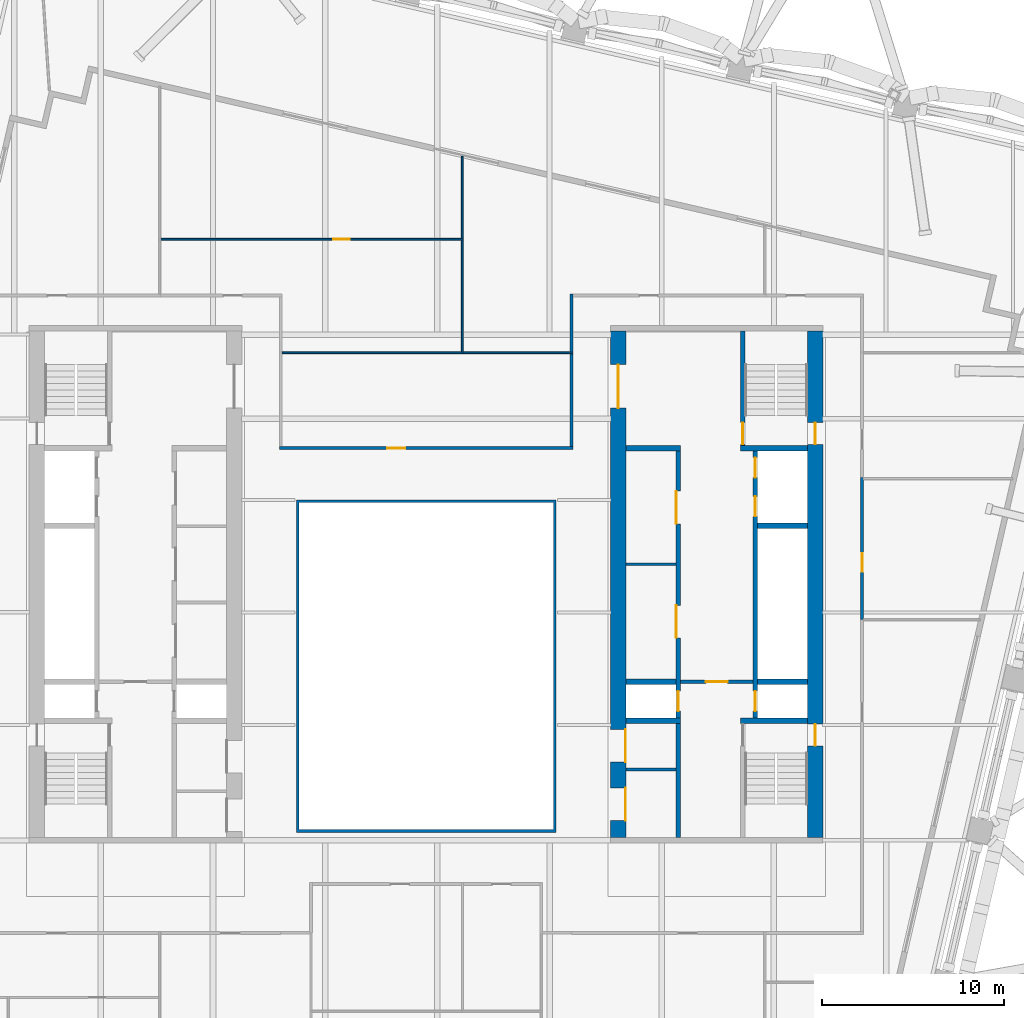
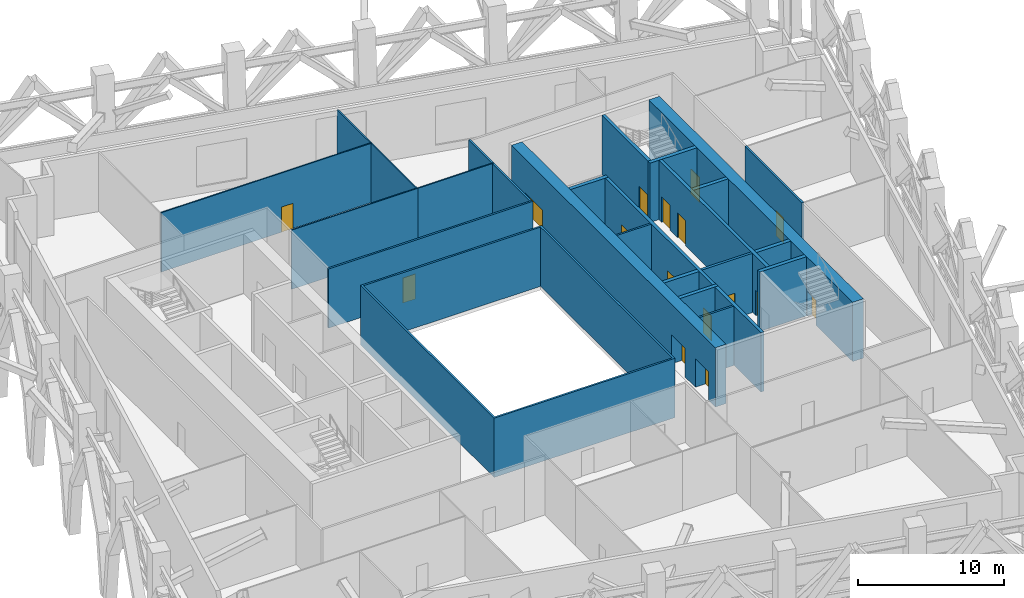
# One storey, part 9 of 20: 25 walls, 16 doors, 16 openings.
"""IFC4 building model written with IfcOpenShell, lengths in metres."""

from ifc_helpers import new_model, si_unit, direction, frame, frame_2d, origin, place, context, subcontext, project, spatial, polyline, rectangle, outline, extrude, material, layer, layer_set, type_object, element, fill, save


model = new_model("IFC4")

# Units and contexts
model_context = context("Model", 3, precision=1e-05, world=origin(), true_north=direction((0.0, 1.0)))
body_context = subcontext(model_context, "Body", "Model", "MODEL_VIEW")
ifc_project = project(units=[si_unit("LENGTHUNIT", "METRE"), si_unit("AREAUNIT", "SQUARE_METRE"), si_unit("VOLUMEUNIT", "CUBIC_METRE"), si_unit("PLANEANGLEUNIT", "RADIAN"), si_unit("MASSUNIT", "GRAM", prefix="KILO")], contexts=[model_context])

# Site, building, storey
site_placement = place(None, origin())
site = spatial("IfcSite", under=ifc_project, at=site_placement, CompositionType="ELEMENT")
building_placement = place(site_placement, origin())
building = spatial("IfcBuilding", under=site, at=building_placement, Name="Ogive Exchange Tower", CompositionType="ELEMENT")
storey_placement = place(building_placement, frame((0.0, 0.0, 160.199951171875)))
storey = spatial("IfcBuildingStorey", under=building, at=storey_placement, Name="L35", CompositionType="ELEMENT", Elevation=160.199951171875)

# Walls
ifc_material_1 = material(Name="Gypsum board partition")
ifc_layer_1 = layer(ifc_material_1, 0.14990234375)
ifc_layer_set_1 = layer_set([ifc_layer_1], Name="Core room partition 150 gypsum")
wall_type_1 = type_object("IfcWallType", Name="Core room partition 150 gypsum", PredefinedType="PARTITIONING", material=ifc_layer_set_1)
for number, where, z_axis, x_axis, name in (
    (1, (11.0, 12.60009765625, 0.0), (0.0, 0.0, 1.0), (1.0, 0.0, 0.0), "E row B bay partition 1-1"),
    (2, (11.0, 1.300048828125, 0.0), (0.0, 0.0, 1.0), (1.0, 0.0, 0.0), "E south room partition"),
):
    element("IfcWall", number, at=place(storey_placement, frame(where, z_axis=z_axis, x_axis=x_axis)), inside=storey, type_object=wall_type_1, Name=name, PredefinedType="PARTITIONING", context=body_context, shape_type="SweptSolid", body=[
        extrude(rectangle(XDim=2.75, YDim=0.14990234375, at=frame_2d((1.375, 0.0))), origin(), (0.0, 0.0, 1.0), 4.949951171875),
    ])
ifc_layer_2 = layer(ifc_material_1, 0.300048828125)
ifc_layer_set_2 = layer_set([ifc_layer_2], Name="Core room partition 300 gypsum")
wall_type_2 = type_object("IfcWallType", Name="Core room partition 300 gypsum", PredefinedType="PARTITIONING", material=ifc_layer_set_2)
wall_1_placement = place(storey_placement, frame((11.0, 19.0, 0.0), z_axis=(0.0, 0.0, 1.0), x_axis=(1.0, 0.0, 0.0)))
element("IfcWall", 3, at=wall_1_placement, inside=storey, type_object=wall_type_2, Name="E row B room end wall 7", PredefinedType="PARTITIONING", context=body_context, shape_type="SweptSolid", body=[
    extrude(rectangle(XDim=3.0, YDim=0.300048828125, at=frame_2d((1.5, 0.0))), origin(), (0.0, 0.0, 1.0), 4.949951171875),
])

# Wall, opening, door
ifc_material_2 = material(Name="Fire partition EI 60 150")
ifc_layer_3 = layer(ifc_material_2, 0.14990234375)
ifc_layer_set_3 = layer_set([ifc_layer_3], Name="Fire partition EI 60 150")
wall_type_3 = type_object("IfcWallType", Name="Fire partition EI 60 150", PredefinedType="PARTITIONING", material=ifc_layer_set_3)
wall_2_placement = place(storey_placement, frame((-8.074951171875, 19.0, 0.0), z_axis=(0.0, 0.0, 1.0), x_axis=(1.0, 0.0, 0.0)))
wall_2 = element("IfcWall", 4, at=wall_2_placement, inside=storey, type_object=wall_type_3, Name="L35-PWL-020", PredefinedType="PARTITIONING", context=body_context, shape_type="SweptSolid", body=[
    extrude(rectangle(XDim=16.14990234375, YDim=0.14990234375, at=frame_2d((8.074951171875, 0.0))), origin(), (0.0, 0.0, 1.0), 4.949951171875),
])
opening_1_placement = place(wall_2_placement, frame((5.925048828125, 0.0, 0.0)))
opening_1 = element("IfcOpeningElement", 5, at=opening_1_placement, cuts=wall_2, Name="Opening L35-I06", PredefinedType="OPENING", context=body_context, shape_type="SweptSolid", body=[
    extrude(rectangle(XDim=1.0, YDim=2.10009765625, at=frame_2d((0.5, 1.050048828125))), frame((0.0, 0.0849609375, 0.0), z_axis=(0.0, -1.0, 0.0), x_axis=(1.0, 0.0, 0.0)), (0.0, 0.0, 1.0), 0.169921875),
])
ifc_material_3 = material(Name="Fire door FD 30S 1000 x 2100")
door_type_1 = type_object("IfcDoorType", Name="Fire door FD 30S 1000 x 2100", OperationType="NOTDEFINED", PredefinedType="DOOR", material=ifc_material_3)
door_1_placement = place(opening_1_placement, origin())
door_1 = element("IfcDoor", 6, at=door_1_placement, inside=storey, type_object=door_type_1, Name="L35-IDR-006", ObjectType="DT3", OperationType="SINGLE_SWING_RIGHT", OverallHeight=2.10009765625, OverallWidth=1.0, PredefinedType="DOOR", context=body_context, shape_type="SweptSolid", body=[
    extrude(rectangle(XDim=1.0, YDim=2.10009765625, at=frame_2d((0.5, 1.050048828125))), frame((0.0, 0.02490234375, 0.0), z_axis=(0.0, -1.0, 0.0), x_axis=(1.0, 0.0, 0.0)), (0.0, 0.0, 1.0), 0.050048828125),
])
fill(opening_1, door_1)

# Walls
wall_3_placement = place(storey_placement, frame((8.0, 19.074951171875, 0.0), z_axis=(0.0, 0.0, 1.0), x_axis=(0.0, 1.0, 0.0)))
element("IfcWall", 7, at=wall_3_placement, inside=storey, type_object=wall_type_3, Name="L35-PWL-042", PredefinedType="PARTITIONING", context=body_context, shape_type="SweptSolid", body=[
    extrude(rectangle(XDim=5.125, YDim=0.14990234375, at=frame_2d((2.5625, 0.0))), origin(), (0.0, 0.0, 1.0), 4.949951171875),
])
wall_4_placement = place(storey_placement, frame((8.0, 24.300048828125, 0.0), z_axis=(0.0, 0.0, 1.0), x_axis=(0.0, 1.0, 0.0)))
element("IfcWall", 8, at=wall_4_placement, inside=storey, type_object=wall_type_3, Name="L35-PWL-043", PredefinedType="PARTITIONING", context=body_context, shape_type="SweptSolid", body=[
    extrude(rectangle(XDim=3.175048828125, YDim=0.14990234375, at=frame_2d((1.58740234375, 0.0))), origin(), (0.0, 0.0, 1.0), 4.949951171875),
])

# Wall, opening, door
wall_5_placement = place(storey_placement, frame((24.0, 17.3701171875, 0.0), z_axis=(0.0, 0.0, 1.0), x_axis=(0.0, -1.0, 0.0)))
wall_5 = element("IfcWall", 9, at=wall_5_placement, inside=storey, type_object=wall_type_3, Name="L35-PWL-055", PredefinedType="PARTITIONING", context=body_context, shape_type="SweptSolid", body=[
    extrude(rectangle(XDim=7.820068359375, YDim=0.14990234375, at=frame_2d((3.91015625, 0.0))), origin(), (0.0, 0.0, 1.0), 4.949951171875),
])
opening_2_placement = place(wall_5_placement, frame((4.169921875, 0.0, 0.0)))
opening_2 = element("IfcOpeningElement", 10, at=opening_2_placement, cuts=wall_5, Name="Opening L35-I03", PredefinedType="OPENING", context=body_context, shape_type="SweptSolid", body=[
    extrude(rectangle(XDim=1.0, YDim=2.10009765625, at=frame_2d((0.5, 1.050048828125))), frame((0.0, 0.0849609375, 0.0), z_axis=(0.0, -1.0, 0.0), x_axis=(1.0, 0.0, 0.0)), (0.0, 0.0, 1.0), 0.169921875),
])
door_2_placement = place(opening_2_placement, origin())
door_2 = element("IfcDoor", 11, at=door_2_placement, inside=storey, type_object=door_type_1, Name="L35-IDR-003", ObjectType="DT3", OperationType="SINGLE_SWING_LEFT", OverallHeight=2.10009765625, OverallWidth=1.0, PredefinedType="DOOR", context=body_context, shape_type="SweptSolid", body=[
    extrude(rectangle(XDim=1.0, YDim=2.10009765625, at=frame_2d((0.5, 1.050048828125))), frame((0.0, 0.02490234375, 0.0), z_axis=(0.0, -1.0, 0.0), x_axis=(1.0, 0.0, 0.0)), (0.0, 0.0, 1.0), 0.050048828125),
])
fill(opening_2, door_2)

# Wall
ifc_material_4 = material(Name="Fire-resisting glass in steel frame", Category="steel")
ifc_layer_4 = layer(ifc_material_4, 0.14990234375)
ifc_layer_set_4 = layer_set([ifc_layer_4], Name="Fire-rated glazed wall 150")
wall_type_4 = type_object("IfcWallType", Name="Fire-rated glazed wall 150", PredefinedType="STANDARD", material=ifc_layer_set_4)
wall_6_placement = place(storey_placement, origin())
element("IfcWall", 12, at=wall_6_placement, inside=storey, type_object=wall_type_4, Name="Nave enclosure wall", PredefinedType="STANDARD", context=body_context, shape_type="SweptSolid", body=[
    extrude(outline(polyline([(-7.14990234375, -2.14990234375), (7.14990234375, -2.14990234375), (7.14990234375, 16.14990234375), (-7.14990234375, 16.14990234375), (-7.14990234375, -2.14990234375)]), holes=[polyline([(-7.0, -2.0), (-7.0, 16.0), (7.0, 16.0), (7.0, -2.0), (-7.0, -2.0)])]), origin(), (0.0, 0.0, 1.0), 4.949951171875),
])

# Wall, opening, door
ifc_material_5 = material(Name="Partition 100 gypsum")
ifc_layer_5 = layer(ifc_material_5, 0.10009765625)
ifc_layer_set_5 = layer_set([ifc_layer_5], Name="Partition 100 gypsum")
wall_type_5 = type_object("IfcWallType", Name="Partition 100 gypsum", PredefinedType="PARTITIONING", material=ifc_layer_set_5)
wall_7_placement = place(storey_placement, frame((-14.6201171875, 30.5, 0.0), z_axis=(0.0, 0.0, 1.0), x_axis=(1.0, 0.0, 0.0)))
wall_7 = element("IfcWall", 13, at=wall_7_placement, inside=storey, type_object=wall_type_5, Name="L35-PWL-018", PredefinedType="PARTITIONING", context=body_context, shape_type="SweptSolid", body=[
    extrude(rectangle(XDim=16.66015625, YDim=0.10009765625, at=frame_2d((8.330078125, 0.0))), origin(), (0.0, 0.0, 1.0), 4.949951171875),
])
opening_3_placement = place(wall_7_placement, frame((9.510009765625, 0.0, 0.0)))
opening_3 = element("IfcOpeningElement", 14, at=opening_3_placement, cuts=wall_7, Name="Opening L35-I09", PredefinedType="OPENING", context=body_context, shape_type="SweptSolid", body=[
    extrude(rectangle(XDim=0.89990234375, YDim=2.10009765625, at=frame_2d((0.449951171875, 1.050048828125))), frame((0.0, 0.06005859375, 0.0), z_axis=(0.0, -1.0, 0.0), x_axis=(1.0, 0.0, 0.0)), (0.0, 0.0, 1.0), 0.1201171875),
])
ifc_material_6 = material(Name="Door 900 x 2100")
door_type_2 = type_object("IfcDoorType", Name="Door 900 x 2100", OperationType="NOTDEFINED", PredefinedType="DOOR", material=ifc_material_6)
door_3_placement = place(opening_3_placement, frame((0.89990234375, 0.0, 0.0), z_axis=(0.0, 0.0, 1.0), x_axis=(-1.0, 0.0, 0.0)))
door_3 = element("IfcDoor", 15, at=door_3_placement, inside=storey, type_object=door_type_2, Name="L35-IDR-009", ObjectType="DT1", OperationType="SINGLE_SWING_RIGHT", OverallHeight=2.10009765625, OverallWidth=0.89990234375, PredefinedType="DOOR", context=body_context, shape_type="SweptSolid", body=[
    extrude(rectangle(XDim=0.89990234375, YDim=2.10009765625, at=frame_2d((0.449951171875, 1.050048828125))), frame((0.0, 0.02490234375, 0.0), z_axis=(0.0, -1.0, 0.0), x_axis=(1.0, 0.0, 0.0)), (0.0, 0.0, 1.0), 0.050048828125),
])
fill(opening_3, door_3)

# Walls
wall_8_placement = place(storey_placement, frame((-7.925048828125, 24.25, 0.0), z_axis=(0.0, 0.0, 1.0), x_axis=(1.0, 0.0, 0.0)))
element("IfcWall", 16, at=wall_8_placement, inside=storey, type_object=wall_type_5, Name="L35-PWL-022", PredefinedType="PARTITIONING", context=body_context, shape_type="SweptSolid", body=[
    extrude(rectangle(XDim=9.965087890625, YDim=0.10009765625, at=frame_2d((4.982421875, 0.0))), origin(), (0.0, 0.0, 1.0), 4.949951171875),
])
wall_9_placement = place(storey_placement, frame((1.989990234375, 24.300048828125, 0.0), z_axis=(0.0, 0.0, 1.0), x_axis=(0.0, 1.0, 0.0)))
element("IfcWall", 17, at=wall_9_placement, inside=storey, type_object=wall_type_5, Name="L35-PWL-029", PredefinedType="PARTITIONING", context=body_context, shape_type="SweptSolid", body=[
    extrude(rectangle(XDim=6.14990234375, YDim=0.10009765625, at=frame_2d((3.074951171875, 0.0))), origin(), (0.0, 0.0, 1.0), 4.949951171875),
])
wall_10_placement = place(storey_placement, frame((2.0400390625, 24.25, 0.0), z_axis=(0.0, 0.0, 1.0), x_axis=(1.0, 0.0, 0.0)))
element("IfcWall", 18, at=wall_10_placement, inside=storey, type_object=wall_type_5, Name="L35-PWL-030", PredefinedType="PARTITIONING", context=body_context, shape_type="SweptSolid", body=[
    extrude(rectangle(XDim=6.034912109375, YDim=0.10009765625, at=frame_2d((3.017578125, 0.0))), origin(), (0.0, 0.0, 1.0), 4.949951171875),
])
wall_11_placement = place(storey_placement, frame((1.989990234375, 30.550048828125, 0.0), z_axis=(0.0, 0.0, 1.0), x_axis=(0.0, 1.0, 0.0)))
element("IfcWall", 19, at=wall_11_placement, inside=storey, type_object=wall_type_5, Name="L35-PWL-031", PredefinedType="PARTITIONING", context=body_context, shape_type="SweptSolid", body=[
    extrude(rectangle(XDim=4.514892578125, YDim=0.10009765625, at=frame_2d((2.25732421875, 0.0))), origin(), (0.0, 0.0, 1.0), 4.949951171875),
])

# Wall, opening, door
ifc_material_7 = material(Name="Concrete C70/85", Category="concrete")
ifc_layer_6 = layer(ifc_material_7, 0.199951171875)
ifc_layer_set_6 = layer_set([ifc_layer_6], Name="RC core wall 200 C70/85")
wall_type_6 = type_object("IfcWallType", Name="RC core wall 200 C70/85", PredefinedType="SHEAR", material=ifc_layer_set_6)
wall_12_placement = place(storey_placement, frame((14.0, 6.142822265625, 0.0), z_axis=(0.0, 0.0, 1.0), x_axis=(1.0, 0.0, 0.0)))
wall_12 = element("IfcWall", 20, at=wall_12_placement, inside=storey, type_object=wall_type_6, Name="E firefighting lobby wall", PredefinedType="SHEAR", context=body_context, shape_type="SweptSolid", body=[
    extrude(rectangle(XDim=4.0, YDim=0.199951171875, at=frame_2d((2.0, 0.0))), origin(), (0.0, 0.0, 1.0), 4.949951171875),
])
opening_4_placement = place(wall_12_placement, frame((1.39990234375, 0.0, 0.0)))
opening_4 = element("IfcOpeningElement", 21, at=opening_4_placement, cuts=wall_12, Name="Opening L35-C22", PredefinedType="OPENING", context=body_context, shape_type="SweptSolid", body=[
    extrude(rectangle(XDim=1.199951171875, YDim=2.10009765625, at=frame_2d((0.60009765625, 1.050048828125))), frame((0.0, 0.10986328125, 0.0), z_axis=(0.0, -1.0, 0.0), x_axis=(1.0, 0.0, 0.0)), (0.0, 0.0, 1.0), 0.219970703125),
])
ifc_material_8 = material(Name="Steel fire door", Category="steel")
door_type_3 = type_object("IfcDoorType", Name="Firefighting lobby door FD60 1200 x 2100", OperationType="NOTDEFINED", PredefinedType="DOOR", material=ifc_material_8)
door_4_placement = place(opening_4_placement, frame((1.199951171875, 0.0, 0.0), z_axis=(0.0, 0.0, 1.0), x_axis=(-1.0, 0.0, 0.0)))
door_4 = element("IfcDoor", 22, at=door_4_placement, inside=storey, type_object=door_type_3, Name="Firefighting lobby door", ObjectType="CD3", OperationType="SINGLE_SWING_RIGHT", OverallHeight=2.10009765625, OverallWidth=1.199951171875, PredefinedType="DOOR", context=body_context, shape_type="SweptSolid", body=[
    extrude(rectangle(XDim=1.199951171875, YDim=2.10009765625, at=frame_2d((0.60009765625, 1.050048828125))), frame((0.0, 0.02490234375, 0.0), z_axis=(0.0, -1.0, 0.0), x_axis=(1.0, 0.0, 0.0)), (0.0, 0.0, 1.0), 0.050048828125),
])
fill(opening_4, door_4)

ifc_layer_7 = layer(ifc_material_7, 0.25)
ifc_layer_set_7 = layer_set([ifc_layer_7], Name="RC core wall 250 C70/85")
wall_type_7 = type_object("IfcWallType", Name="RC core wall 250 C70/85", PredefinedType="SHEAR", material=ifc_layer_set_7)
wall_13_placement = place(storey_placement, frame((17.425048828125, 19.14990234375, 0.0), z_axis=(0.0, 0.0, 1.0), x_axis=(0.0, 1.0, 0.0)))
wall_13 = element("IfcWall", 23, at=wall_13_placement, inside=storey, type_object=wall_type_7, Name="E stair N front wall", PredefinedType="SHEAR", context=body_context, shape_type="SweptSolid", body=[
    extrude(rectangle(XDim=6.300048828125, YDim=0.25, at=frame_2d((3.14990234375, 0.0))), origin(), (0.0, 0.0, 1.0), 4.949951171875),
])
opening_5_placement = place(wall_13_placement, frame((0.050048828125, 0.0, 0.0)))
opening_5 = element("IfcOpeningElement", 24, at=opening_5_placement, cuts=wall_13, Name="Opening L35-C26", PredefinedType="OPENING", context=body_context, shape_type="SweptSolid", body=[
    extrude(rectangle(XDim=1.199951171875, YDim=2.10009765625, at=frame_2d((0.60009765625, 1.050048828125))), frame((0.0, 0.135009765625, 0.0), z_axis=(0.0, -1.0, 0.0), x_axis=(1.0, 0.0, 0.0)), (0.0, 0.0, 1.0), 0.27001953125),
])
door_type_4 = type_object("IfcDoorType", Name="Stair door FD90 1200 x 2100", OperationType="NOTDEFINED", PredefinedType="DOOR", material=ifc_material_8)
door_5_placement = place(opening_5_placement, frame((1.199951171875, 0.0, 0.0), z_axis=(0.0, 0.0, 1.0), x_axis=(-1.0, 0.0, 0.0)))
door_5 = element("IfcDoor", 25, at=door_5_placement, inside=storey, type_object=door_type_4, Name="Stair door", ObjectType="CD5", OperationType="SINGLE_SWING_LEFT", OverallHeight=2.10009765625, OverallWidth=1.199951171875, PredefinedType="DOOR", context=body_context, shape_type="SweptSolid", body=[
    extrude(rectangle(XDim=1.199951171875, YDim=2.10009765625, at=frame_2d((0.60009765625, 1.050048828125))), frame((0.0, 0.02490234375, 0.0), z_axis=(0.0, -1.0, 0.0), x_axis=(1.0, 0.0, 0.0)), (0.0, 0.0, 1.0), 0.050048828125),
])
fill(opening_5, door_5)

# Wall, openings, doors
wall_14_placement = place(storey_placement, frame((18.125, 4.14990234375, 0.0), z_axis=(0.0, 0.0, 1.0), x_axis=(0.0, 1.0, 0.0)))
wall_14 = element("IfcWall", 26, at=wall_14_placement, inside=storey, type_object=wall_type_7, Name="E row A front wall", PredefinedType="SHEAR", context=body_context, shape_type="SweptSolid", body=[
    extrude(rectangle(XDim=14.7001953125, YDim=0.25, at=frame_2d((7.35009765625, 0.0))), origin(), (0.0, 0.0, 1.0), 4.949951171875),
])
opening_6_placement = place(wall_14_placement, frame((0.371337890625, 0.0, 0.0)))
opening_6 = element("IfcOpeningElement", 27, at=opening_6_placement, cuts=wall_14, Name="Opening L35-C16", PredefinedType="OPENING", context=body_context, shape_type="SweptSolid", body=[
    extrude(rectangle(XDim=1.10009765625, YDim=2.10009765625, at=frame_2d((0.550048828125, 1.050048828125))), frame((0.0, 0.135009765625, 0.0), z_axis=(0.0, -1.0, 0.0), x_axis=(1.0, 0.0, 0.0)), (0.0, 0.0, 1.0), 0.27001953125),
])
opening_7_placement = place(wall_14_placement, frame((11.085693359375, 0.0, 0.0)))
opening_7 = element("IfcOpeningElement", 28, at=opening_7_placement, cuts=wall_14, Name="Opening L35-C17", PredefinedType="OPENING", context=body_context, shape_type="SweptSolid", body=[
    extrude(rectangle(XDim=1.10009765625, YDim=2.10009765625, at=frame_2d((0.550048828125, 1.050048828125))), frame((0.0, 0.135009765625, 0.0), z_axis=(0.0, -1.0, 0.0), x_axis=(1.0, 0.0, 0.0)), (0.0, 0.0, 1.0), 0.27001953125),
])
opening_8_placement = place(wall_14_placement, frame((13.228515625, 0.0, 0.0)))
opening_8 = element("IfcOpeningElement", 29, at=opening_8_placement, cuts=wall_14, Name="Opening L35-C18", PredefinedType="OPENING", context=body_context, shape_type="SweptSolid", body=[
    extrude(rectangle(XDim=1.10009765625, YDim=2.10009765625, at=frame_2d((0.550048828125, 1.050048828125))), frame((0.0, 0.135009765625, 0.0), z_axis=(0.0, -1.0, 0.0), x_axis=(1.0, 0.0, 0.0)), (0.0, 0.0, 1.0), 0.27001953125),
])
ifc_material_9 = material(Name="Stainless steel", Category="steel")
door_type_5 = type_object("IfcDoorType", Name="Lift landing door FD90 1100 x 2100", OperationType="SLIDING_TO_LEFT", PredefinedType="DOOR", material=ifc_material_9)
door_6_placement = place(opening_6_placement, origin())
door_6 = element("IfcDoor", 30, at=door_6_placement, inside=storey, type_object=door_type_5, Name="Lift landing door FF2", ObjectType="LD", OperationType="SLIDING_TO_LEFT", OverallHeight=2.10009765625, OverallWidth=1.10009765625, PredefinedType="DOOR", context=body_context, shape_type="SweptSolid", body=[
    extrude(rectangle(XDim=1.10009765625, YDim=2.10009765625, at=frame_2d((0.550048828125, 1.050048828125))), frame((0.0, 0.02490234375, 0.0), z_axis=(0.0, -1.0, 0.0), x_axis=(1.0, 0.0, 0.0)), (0.0, 0.0, 1.0), 0.050048828125),
])
fill(opening_6, door_6)
door_7_placement = place(opening_7_placement, origin())
door_7 = element("IfcDoor", 31, at=door_7_placement, inside=storey, type_object=door_type_5, Name="Lift landing door E-SH1", ObjectType="LD", OperationType="SLIDING_TO_LEFT", OverallHeight=2.10009765625, OverallWidth=1.10009765625, PredefinedType="DOOR", context=body_context, shape_type="SweptSolid", body=[
    extrude(rectangle(XDim=1.10009765625, YDim=2.10009765625, at=frame_2d((0.550048828125, 1.050048828125))), frame((0.0, 0.02490234375, 0.0), z_axis=(0.0, -1.0, 0.0), x_axis=(1.0, 0.0, 0.0)), (0.0, 0.0, 1.0), 0.050048828125),
])
fill(opening_7, door_7)
door_8_placement = place(opening_8_placement, origin())
door_8 = element("IfcDoor", 32, at=door_8_placement, inside=storey, type_object=door_type_5, Name="Lift landing door E-SH2", ObjectType="LD", OperationType="SLIDING_TO_LEFT", OverallHeight=2.10009765625, OverallWidth=1.10009765625, PredefinedType="DOOR", context=body_context, shape_type="SweptSolid", body=[
    extrude(rectangle(XDim=1.10009765625, YDim=2.10009765625, at=frame_2d((0.550048828125, 1.050048828125))), frame((0.0, 0.02490234375, 0.0), z_axis=(0.0, -1.0, 0.0), x_axis=(1.0, 0.0, 0.0)), (0.0, 0.0, 1.0), 0.050048828125),
])
fill(opening_8, door_8)

wall_15_placement = place(storey_placement, frame((13.875, -2.449951171875, 0.0), z_axis=(0.0, 0.0, 1.0), x_axis=(0.0, 1.0, 0.0)))
wall_15 = element("IfcWall", 33, at=wall_15_placement, inside=storey, type_object=wall_type_7, Name="E row B front wall", PredefinedType="SHEAR", context=body_context, shape_type="SweptSolid", body=[
    extrude(rectangle(XDim=21.300048828125, YDim=0.25, at=frame_2d((10.64990234375, 0.0))), origin(), (0.0, 0.0, 1.0), 4.949951171875),
])
opening_9_placement = place(wall_15_placement, frame((10.996337890625, 0.0, 0.0)))
opening_9 = element("IfcOpeningElement", 34, at=opening_9_placement, cuts=wall_15, Name="Opening L35-C19", PredefinedType="OPENING", context=body_context, shape_type="SweptSolid", body=[
    extrude(rectangle(XDim=1.800048828125, YDim=2.39990234375, at=frame_2d((0.89990234375, 1.199951171875))), frame((0.0, 0.135009765625, 0.0), z_axis=(0.0, -1.0, 0.0), x_axis=(1.0, 0.0, 0.0)), (0.0, 0.0, 1.0), 0.27001953125),
])
opening_10_placement = place(wall_15_placement, frame((17.27490234375, 0.0, 0.0)))
opening_10 = element("IfcOpeningElement", 35, at=opening_10_placement, cuts=wall_15, Name="Opening L35-C20", PredefinedType="OPENING", context=body_context, shape_type="SweptSolid", body=[
    extrude(rectangle(XDim=1.800048828125, YDim=2.39990234375, at=frame_2d((0.89990234375, 1.199951171875))), frame((0.0, 0.135009765625, 0.0), z_axis=(0.0, -1.0, 0.0), x_axis=(1.0, 0.0, 0.0)), (0.0, 0.0, 1.0), 0.27001953125),
])
opening_11_placement = place(wall_15_placement, frame((6.971435546875, 0.0, 0.0)))
opening_11 = element("IfcOpeningElement", 36, at=opening_11_placement, cuts=wall_15, Name="Opening L35-C21", PredefinedType="OPENING", context=body_context, shape_type="SweptSolid", body=[
    extrude(rectangle(XDim=1.10009765625, YDim=2.10009765625, at=frame_2d((0.550048828125, 1.050048828125))), frame((0.0, 0.135009765625, 0.0), z_axis=(0.0, -1.0, 0.0), x_axis=(1.0, 0.0, 0.0)), (0.0, 0.0, 1.0), 0.27001953125),
])
door_9_placement = place(opening_11_placement, origin())
door_9 = element("IfcDoor", 37, at=door_9_placement, inside=storey, type_object=door_type_5, Name="Lift landing door SV2", ObjectType="LD", OperationType="SLIDING_TO_LEFT", OverallHeight=2.10009765625, OverallWidth=1.10009765625, PredefinedType="DOOR", context=body_context, shape_type="SweptSolid", body=[
    extrude(rectangle(XDim=1.10009765625, YDim=2.10009765625, at=frame_2d((0.550048828125, 1.050048828125))), frame((0.0, 0.02490234375, 0.0), z_axis=(0.0, -1.0, 0.0), x_axis=(1.0, 0.0, 0.0)), (0.0, 0.0, 1.0), 0.050048828125),
])
fill(opening_11, door_9)
door_type_6 = type_object("IfcDoorType", Name="Plant room door FD60 1800 x 2400", OperationType="DOUBLE_DOOR_SINGLE_SWING", PredefinedType="DOOR", material=ifc_material_8)
door_10_placement = place(opening_9_placement, origin())
door_10 = element("IfcDoor", 38, at=door_10_placement, inside=storey, type_object=door_type_6, Name="Plant room door", ObjectType="CD1", OperationType="DOUBLE_DOOR_SINGLE_SWING", OverallHeight=2.39990234375, OverallWidth=1.800048828125, PredefinedType="DOOR", context=body_context, shape_type="SweptSolid", body=[
    extrude(rectangle(XDim=1.800048828125, YDim=2.39990234375, at=frame_2d((0.89990234375, 1.199951171875))), frame((0.0, 0.125, 0.0), z_axis=(0.0, -1.0, 0.0), x_axis=(1.0, 0.0, 0.0)), (0.0, 0.0, 1.0), 0.050048828125),
])
fill(opening_9, door_10)
door_11_placement = place(opening_10_placement, origin())
door_11 = element("IfcDoor", 39, at=door_11_placement, inside=storey, type_object=door_type_6, Name="Plant room door", ObjectType="CD1", OperationType="DOUBLE_DOOR_SINGLE_SWING", OverallHeight=2.39990234375, OverallWidth=1.800048828125, PredefinedType="DOOR", context=body_context, shape_type="SweptSolid", body=[
    extrude(rectangle(XDim=1.800048828125, YDim=2.39990234375, at=frame_2d((0.89990234375, 1.199951171875))), frame((0.0, 0.125, 0.0), z_axis=(0.0, -1.0, 0.0), x_axis=(1.0, 0.0, 0.0)), (0.0, 0.0, 1.0), 0.050048828125),
])
fill(opening_10, door_11)

# Walls
ifc_layer_8 = layer(ifc_material_7, 0.300048828125)
ifc_layer_set_8 = layer_set([ifc_layer_8], Name="RC core wall 300 C70/85")
wall_type_8 = type_object("IfcWallType", Name="RC core wall 300 C70/85", PredefinedType="SHEAR", material=ifc_layer_set_8)
for number, where, z_axis, x_axis, name in (
    (40, (17.300048828125, 4.0, 0.0), (0.0, 0.0, 1.0), (1.0, 0.0, 0.0), "E stair S north wall"),
    (41, (17.300048828125, 19.0, 0.0), (0.0, 0.0, 1.0), (1.0, 0.0, 0.0), "E stair N south wall"),
):
    element("IfcWall", number, at=place(storey_placement, frame(where, z_axis=z_axis, x_axis=x_axis)), inside=storey, type_object=wall_type_8, Name=name, PredefinedType="SHEAR", context=body_context, shape_type="SweptSolid", body=[
        extrude(rectangle(XDim=3.699951171875, YDim=0.300048828125, at=frame_2d((1.85009765625, 0.0))), origin(), (0.0, 0.0, 1.0), 4.949951171875),
    ])
for number, where, z_axis, x_axis, name in (
    (42, (18.25, 6.142822265625, 0.0), (0.0, 0.0, 1.0), (1.0, 0.0, 0.0), "E row A divider 1"),
    (43, (18.25, 14.71435546875, 0.0), (0.0, 0.0, 1.0), (1.0, 0.0, 0.0), "E row A divider 5"),
):
    element("IfcWall", number, at=place(storey_placement, frame(where, z_axis=z_axis, x_axis=x_axis)), inside=storey, type_object=wall_type_8, Name=name, PredefinedType="SHEAR", context=body_context, shape_type="SweptSolid", body=[
        extrude(rectangle(XDim=2.75, YDim=0.300048828125, at=frame_2d((1.375, 0.0))), origin(), (0.0, 0.0, 1.0), 4.949951171875),
    ])
wall_16_placement = place(storey_placement, frame((11.0, 4.0, 0.0), z_axis=(0.0, 0.0, 1.0), x_axis=(1.0, 0.0, 0.0)))
element("IfcWall", 44, at=wall_16_placement, inside=storey, type_object=wall_type_8, Name="E row B divider 0", PredefinedType="SHEAR", context=body_context, shape_type="SweptSolid", body=[
    extrude(rectangle(XDim=3.0, YDim=0.300048828125, at=frame_2d((1.5, 0.0))), origin(), (0.0, 0.0, 1.0), 4.949951171875),
])
wall_17_placement = place(storey_placement, frame((11.0, 6.142822265625, 0.0), z_axis=(0.0, 0.0, 1.0), x_axis=(1.0, 0.0, 0.0)))
element("IfcWall", 45, at=wall_17_placement, inside=storey, type_object=wall_type_8, Name="E row B divider 1", PredefinedType="SHEAR", context=body_context, shape_type="SweptSolid", body=[
    extrude(rectangle(XDim=2.75, YDim=0.300048828125, at=frame_2d((1.375, 0.0))), origin(), (0.0, 0.0, 1.0), 4.949951171875),
])

# Wall, openings, doors
ifc_layer_9 = layer(ifc_material_7, 0.85009765625)
ifc_layer_set_9 = layer_set([ifc_layer_9], Name="RC core wall 850 C70/85")
wall_type_9 = type_object("IfcWallType", Name="RC core wall 850 C70/85", PredefinedType="SHEAR", material=ifc_layer_set_9)
wall_18_placement = place(storey_placement, frame((21.425048828125, -2.449951171875, 0.0), z_axis=(0.0, 0.0, 1.0), x_axis=(0.0, 1.0, 0.0)))
wall_18 = element("IfcWall", 46, at=wall_18_placement, inside=storey, type_object=wall_type_9, Name="E outer wall", PredefinedType="SHEAR", context=body_context, shape_type="SweptSolid", body=[
    extrude(rectangle(XDim=27.89990234375, YDim=0.85009765625, at=frame_2d((13.949951171875, 0.0))), origin(), (0.0, 0.0, 1.0), 4.949951171875),
])
opening_12_placement = place(wall_18_placement, frame((5.050048828125, 0.0, 0.0)))
opening_12 = element("IfcOpeningElement", 47, at=opening_12_placement, cuts=wall_18, Name="Opening L35-C25", PredefinedType="OPENING", context=body_context, shape_type="SweptSolid", body=[
    extrude(rectangle(XDim=1.199951171875, YDim=2.10009765625, at=frame_2d((0.60009765625, 1.050048828125))), frame((0.0, 0.43505859375, 0.0), z_axis=(0.0, -1.0, 0.0), x_axis=(1.0, 0.0, 0.0)), (0.0, 0.0, 1.0), 0.8701171875),
])
opening_13_placement = place(wall_18_placement, frame((21.64990234375, 0.0, 0.0)))
opening_13 = element("IfcOpeningElement", 48, at=opening_13_placement, cuts=wall_18, Name="Opening L35-C27", PredefinedType="OPENING", context=body_context, shape_type="SweptSolid", body=[
    extrude(rectangle(XDim=1.199951171875, YDim=2.10009765625, at=frame_2d((0.60009765625, 1.050048828125))), frame((0.0, 0.43505859375, 0.0), z_axis=(0.0, -1.0, 0.0), x_axis=(1.0, 0.0, 0.0)), (0.0, 0.0, 1.0), 0.8701171875),
])
door_12_placement = place(opening_12_placement, origin())
door_12 = element("IfcDoor", 49, at=door_12_placement, inside=storey, type_object=door_type_4, Name="Stair door", ObjectType="CD5", OperationType="SINGLE_SWING_LEFT", OverallHeight=2.10009765625, OverallWidth=1.199951171875, PredefinedType="DOOR", context=body_context, shape_type="SweptSolid", body=[
    extrude(rectangle(XDim=1.199951171875, YDim=2.10009765625, at=frame_2d((0.60009765625, 1.050048828125))), frame((0.0, 0.02490234375, 0.0), z_axis=(0.0, -1.0, 0.0), x_axis=(1.0, 0.0, 0.0)), (0.0, 0.0, 1.0), 0.050048828125),
])
fill(opening_12, door_12)
door_13_placement = place(opening_13_placement, origin())
door_13 = element("IfcDoor", 50, at=door_13_placement, inside=storey, type_object=door_type_4, Name="Stair door", ObjectType="CD5", OperationType="SINGLE_SWING_RIGHT", OverallHeight=2.10009765625, OverallWidth=1.199951171875, PredefinedType="DOOR", context=body_context, shape_type="SweptSolid", body=[
    extrude(rectangle(XDim=1.199951171875, YDim=2.10009765625, at=frame_2d((0.60009765625, 1.050048828125))), frame((0.0, 0.02490234375, 0.0), z_axis=(0.0, -1.0, 0.0), x_axis=(1.0, 0.0, 0.0)), (0.0, 0.0, 1.0), 0.050048828125),
])
fill(opening_13, door_13)

wall_19_placement = place(storey_placement, frame((10.574951171875, -2.449951171875, 0.0), z_axis=(0.0, 0.0, 1.0), x_axis=(0.0, 1.0, 0.0)))
wall_19 = element("IfcWall", 51, at=wall_19_placement, inside=storey, type_object=wall_type_9, Name="E inner wall", PredefinedType="SHEAR", context=body_context, shape_type="SweptSolid", body=[
    extrude(rectangle(XDim=27.89990234375, YDim=0.85009765625, at=frame_2d((13.949951171875, 0.0))), origin(), (0.0, 0.0, 1.0), 4.949951171875),
])
opening_14_placement = place(wall_19_placement, frame((23.64990234375, 0.0, 0.0)))
opening_14 = element("IfcOpeningElement", 52, at=opening_14_placement, cuts=wall_19, Name="Opening L35-C23", PredefinedType="OPENING", context=body_context, shape_type="SweptSolid", body=[
    extrude(rectangle(XDim=2.39990234375, YDim=2.10009765625, at=frame_2d((1.199951171875, 1.050048828125))), frame((0.0, 0.43505859375, 0.0), z_axis=(0.0, -1.0, 0.0), x_axis=(1.0, 0.0, 0.0)), (0.0, 0.0, 1.0), 0.8701171875),
])
opening_15_placement = place(wall_19_placement, frame((0.9375, 0.0, 0.0)))
opening_15 = element("IfcOpeningElement", 53, at=opening_15_placement, cuts=wall_19, Name="Opening L35-C28", PredefinedType="OPENING", context=body_context, shape_type="SweptSolid", body=[
    extrude(rectangle(XDim=1.800048828125, YDim=2.39990234375, at=frame_2d((0.89990234375, 1.199951171875))), frame((0.0, 0.43505859375, 0.0), z_axis=(0.0, -1.0, 0.0), x_axis=(1.0, 0.0, 0.0)), (0.0, 0.0, 1.0), 0.8701171875),
])
opening_16_placement = place(wall_19_placement, frame((4.16259765625, 0.0, 0.0)))
opening_16 = element("IfcOpeningElement", 54, at=opening_16_placement, cuts=wall_19, Name="Opening L35-C29", PredefinedType="OPENING", context=body_context, shape_type="SweptSolid", body=[
    extrude(rectangle(XDim=1.800048828125, YDim=2.39990234375, at=frame_2d((0.89990234375, 1.199951171875))), frame((0.0, 0.43505859375, 0.0), z_axis=(0.0, -1.0, 0.0), x_axis=(1.0, 0.0, 0.0)), (0.0, 0.0, 1.0), 0.8701171875),
])
ifc_material_10 = material(Name="Glazed steel fire door", Category="steel")
door_type_7 = type_object("IfcDoorType", Name="Lift lobby double door FD60 2400 x 2100", OperationType="DOUBLE_DOOR_SINGLE_SWING", PredefinedType="DOOR", material=ifc_material_10)
door_14_placement = place(opening_14_placement, frame((2.39990234375, 0.0, 0.0), z_axis=(0.0, 0.0, 1.0), x_axis=(-1.0, 0.0, 0.0)))
door_14 = element("IfcDoor", 55, at=door_14_placement, inside=storey, type_object=door_type_7, Name="Lift lobby double door", ObjectType="CD4", OperationType="DOUBLE_DOOR_SINGLE_SWING", OverallHeight=2.10009765625, OverallWidth=2.39990234375, PredefinedType="DOOR", context=body_context, shape_type="SweptSolid", body=[
    extrude(rectangle(XDim=2.39990234375, YDim=2.10009765625, at=frame_2d((1.199951171875, 1.050048828125))), frame((0.0, 0.02490234375, 0.0), z_axis=(0.0, -1.0, 0.0), x_axis=(1.0, 0.0, 0.0)), (0.0, 0.0, 1.0), 0.050048828125),
])
fill(opening_14, door_14)
door_15_placement = place(opening_15_placement, frame((1.800048828125, -0.7998046875, 0.0), z_axis=(0.0, 0.0, 1.0), x_axis=(-1.0, 0.0, 0.0)))
door_15 = element("IfcDoor", 56, at=door_15_placement, inside=storey, type_object=door_type_6, Name="Plant room door", ObjectType="CD1", OperationType="DOUBLE_DOOR_SINGLE_SWING", OverallHeight=2.39990234375, OverallWidth=1.800048828125, PredefinedType="DOOR", context=body_context, shape_type="SweptSolid", body=[
    extrude(rectangle(XDim=1.800048828125, YDim=2.39990234375, at=frame_2d((0.89990234375, 1.199951171875))), frame((0.0, -0.375, 0.0), z_axis=(0.0, -1.0, 0.0), x_axis=(1.0, 0.0, 0.0)), (0.0, 0.0, 1.0), 0.050048828125),
])
fill(opening_15, door_15)
door_16_placement = place(opening_16_placement, frame((1.800048828125, -0.7998046875, 0.0), z_axis=(0.0, 0.0, 1.0), x_axis=(-1.0, 0.0, 0.0)))
door_16 = element("IfcDoor", 57, at=door_16_placement, inside=storey, type_object=door_type_6, Name="Plant room door", ObjectType="CD1", OperationType="DOUBLE_DOOR_SINGLE_SWING", OverallHeight=2.39990234375, OverallWidth=1.800048828125, PredefinedType="DOOR", context=body_context, shape_type="SweptSolid", body=[
    extrude(rectangle(XDim=1.800048828125, YDim=2.39990234375, at=frame_2d((0.89990234375, 1.199951171875))), frame((0.0, -0.375, 0.0), z_axis=(0.0, -1.0, 0.0), x_axis=(1.0, 0.0, 0.0)), (0.0, 0.0, 1.0), 0.050048828125),
])
fill(opening_16, door_16)

save(model, "model.ifc")
